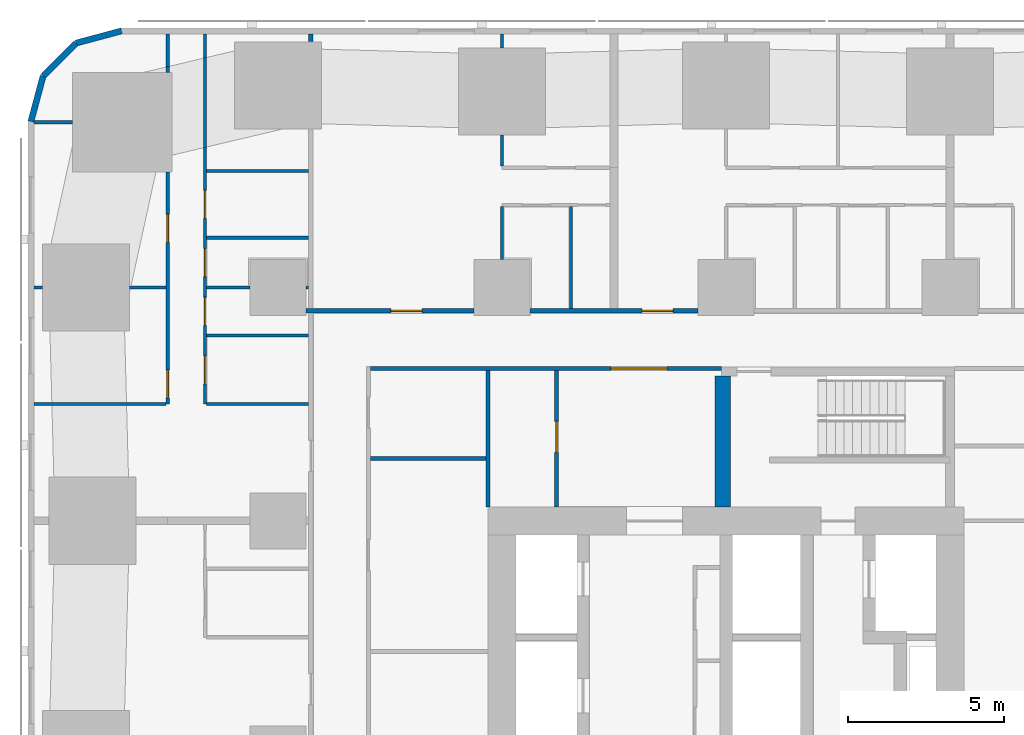
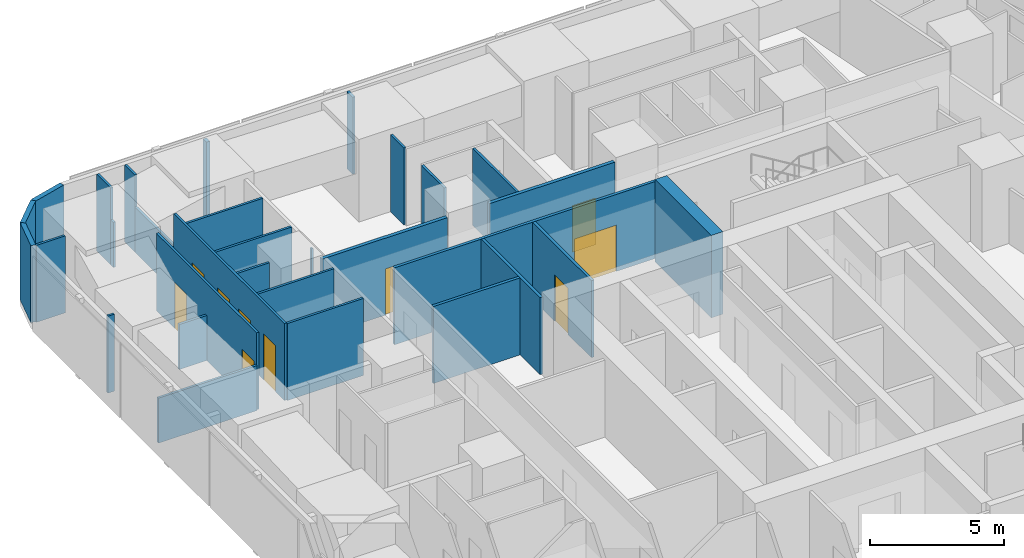
# One storey, part 9 of 16: 31 walls, 10 doors, 10 openings.
"""IFC4 building model written with IfcOpenShell, lengths in metres."""

from ifc_helpers import new_model, si_unit, direction, frame, frame_2d, origin, place, context, subcontext, project, spatial, rectangle, extrude, material, layer, layer_set, type_object, element, fill, save


model = new_model("IFC4")

# Units and contexts
model_context = context("Model", 3, precision=1e-05, world=origin(), true_north=direction((0.0, 1.0)))
body_context = subcontext(model_context, "Body", "Model", "MODEL_VIEW")
ifc_project = project(units=[si_unit("LENGTHUNIT", "METRE"), si_unit("AREAUNIT", "SQUARE_METRE"), si_unit("VOLUMEUNIT", "CUBIC_METRE"), si_unit("PLANEANGLEUNIT", "RADIAN"), si_unit("MASSUNIT", "GRAM", prefix="KILO")], contexts=[model_context])

# Site, building, storey
site_placement = place(None, origin())
site = spatial("IfcSite", under=ifc_project, at=site_placement, CompositionType="ELEMENT")
building_placement = place(site_placement, origin())
building = spatial("IfcBuilding", under=site, at=building_placement, Name="Sheger Commons Tower", CompositionType="ELEMENT")
storey_placement = place(building_placement, frame((0.0, 0.0, 53.75)))
storey = spatial("IfcBuildingStorey", under=building, at=storey_placement, Name="L13", CompositionType="ELEMENT", Elevation=53.75)

# Wall
ifc_material_1 = material(Name="Hollow concrete block masonry, skimmed both sides", Category="masonry")
ifc_layer_1 = layer(ifc_material_1, 0.14990234375)
ifc_layer_set_1 = layer_set([ifc_layer_1], Name="CORRIDOR WALL 150")
wall_type_1 = type_object("IfcWallType", Name="CORRIDOR WALL 150", PredefinedType="SOLIDWALL", material=ifc_layer_set_1)
wall_1_placement = place(storey_placement, frame((8.25, 45.40087890625, 0.0), z_axis=(0.0, 0.0, 1.0), x_axis=(0.0, 1.0, 0.0)))
element("IfcWall", 1, at=wall_1_placement, inside=storey, type_object=wall_type_1, Name="Corridor wall L13", PredefinedType="SOLIDWALL", context=body_context, shape_type="SweptSolid", body=[
    extrude(rectangle(XDim=0.2490234375, YDim=0.14990234375, at=frame_2d((0.12451171875, 0.0))), origin(), (0.0, 0.0, 1.0), 3.5),
])

# Wall, opening, door
wall_2_placement = place(storey_placement, frame((8.10009765625, 36.75, 0.0), z_axis=(0.0, 0.0, 1.0), x_axis=(1.0, 0.0, 0.0)))
wall_2 = element("IfcWall", 2, at=wall_2_placement, inside=storey, type_object=wall_type_1, Name="Corridor wall L13", PredefinedType="SOLIDWALL", context=body_context, shape_type="SweptSolid", body=[
    extrude(rectangle(XDim=5.39892578125, YDim=0.14990234375, at=frame_2d((2.699462890625, 0.0))), origin(), (0.0, 0.0, 1.0), 3.5),
])
opening_1_placement = place(wall_2_placement, frame((2.72509765625, 0.0, 0.0)))
opening_1 = element("IfcOpeningElement", 3, at=opening_1_placement, cuts=wall_2, Name="Opening D1", PredefinedType="OPENING", context=body_context, shape_type="SweptSolid", body=[
    extrude(rectangle(XDim=1.0, YDim=2.10009765625, at=frame_2d((0.5, 1.050048828125))), frame((0.0, 0.0849609375, 0.0), z_axis=(0.0, -1.0, 0.0), x_axis=(1.0, 0.0, 0.0)), (0.0, 0.0, 1.0), 0.169921875),
])
ifc_material_2 = material(Name="Steel door set, fire rated", Category="steel")
door_type_1 = type_object("IfcDoorType", Name="FLAT ENTRANCE DOOR 1000x2100", OperationType="NOTDEFINED", PredefinedType="DOOR", material=ifc_material_2)
door_1_placement = place(opening_1_placement, origin())
door_1 = element("IfcDoor", 4, at=door_1_placement, inside=storey, type_object=door_type_1, Name="Flat entrance door", OperationType="SINGLE_SWING_LEFT", OverallHeight=2.10009765625, OverallWidth=1.0, PredefinedType="DOOR", context=body_context, shape_type="SweptSolid", body=[
    extrude(rectangle(XDim=1.0, YDim=2.10009765625, at=frame_2d((0.5, 1.050048828125))), frame((0.0, 0.02490234375, 0.0), z_axis=(0.0, -1.0, 0.0), x_axis=(1.0, 0.0, 0.0)), (0.0, 0.0, 1.0), 0.050048828125),
])
fill(opening_1, door_1)

wall_3_placement = place(storey_placement, frame((15.301025390625, 36.75, 0.0), z_axis=(0.0, 0.0, 1.0), x_axis=(1.0, 0.0, 0.0)))
wall_3 = element("IfcWall", 5, at=wall_3_placement, inside=storey, type_object=wall_type_1, Name="Corridor wall L13", PredefinedType="SOLIDWALL", context=body_context, shape_type="SweptSolid", body=[
    extrude(rectangle(XDim=5.39794921875, YDim=0.14990234375, at=frame_2d((2.698974609375, 0.0))), origin(), (0.0, 0.0, 1.0), 3.5),
])
opening_2_placement = place(wall_3_placement, frame((3.59912109375, 0.0, 0.0)))
opening_2 = element("IfcOpeningElement", 6, at=opening_2_placement, cuts=wall_3, Name="Opening D1", PredefinedType="OPENING", context=body_context, shape_type="SweptSolid", body=[
    extrude(rectangle(XDim=1.0, YDim=2.10009765625, at=frame_2d((0.5, 1.050048828125))), frame((0.0, 0.0849609375, 0.0), z_axis=(0.0, -1.0, 0.0), x_axis=(1.0, 0.0, 0.0)), (0.0, 0.0, 1.0), 0.169921875),
])
door_2_placement = place(opening_2_placement, origin())
door_2 = element("IfcDoor", 7, at=door_2_placement, inside=storey, type_object=door_type_1, Name="Flat entrance door", OperationType="SINGLE_SWING_RIGHT", OverallHeight=2.10009765625, OverallWidth=1.0, PredefinedType="DOOR", context=body_context, shape_type="SweptSolid", body=[
    extrude(rectangle(XDim=1.0, YDim=2.10009765625, at=frame_2d((0.5, 1.050048828125))), frame((0.0, 0.02490234375, 0.0), z_axis=(0.0, -1.0, 0.0), x_axis=(1.0, 0.0, 0.0)), (0.0, 0.0, 1.0), 0.050048828125),
])
fill(opening_2, door_2)

# Walls
ifc_material_3 = material(Name="Rendered concrete block masonry, dark grey", Category="masonry")
ifc_layer_2 = layer(ifc_material_3, 0.199951171875)
ifc_layer_set_2 = layer_set([ifc_layer_2], Name="FACADE WALL 200")
wall_type_2 = type_object("IfcWallType", Name="FACADE WALL 200", PredefinedType="SOLIDWALL", material=ifc_layer_set_2)
wall_4_placement = place(storey_placement, frame((2.1630859375, 45.75, 0.0), z_axis=(0.0, 0.0, 1.0), x_axis=(-0.965832000415, -0.259168954497, 0.0)))
element("IfcWall", 8, at=wall_4_placement, inside=storey, type_object=wall_type_2, Name="Facade wall L13", PredefinedType="SOLIDWALL", context=body_context, shape_type="SweptSolid", body=[
    extrude(rectangle(XDim=1.512939453125, YDim=0.199951171875, at=frame_2d((0.75634765625, 0.0))), origin(), (0.0, 0.0, 1.0), 3.5),
])
wall_5_placement = place(storey_placement, frame((0.701904296875, 45.35791015625, 0.0), z_axis=(0.0, 0.0, 1.0), x_axis=(-0.707106781187, -0.707106781187, 0.0)))
element("IfcWall", 9, at=wall_5_placement, inside=storey, type_object=wall_type_2, Name="Facade wall L13", PredefinedType="SOLIDWALL", context=body_context, shape_type="SweptSolid", body=[
    extrude(rectangle(XDim=1.498779296875, YDim=0.199951171875, at=frame_2d((0.74951171875, 0.0))), origin(), (0.0, 0.0, 1.0), 3.5),
])
wall_6_placement = place(storey_placement, frame((-0.35791015625, 44.298095703125, 0.0), z_axis=(0.0, 0.0, 1.0), x_axis=(-0.259168954497, -0.965832000415, 0.0)))
element("IfcWall", 10, at=wall_6_placement, inside=storey, type_object=wall_type_2, Name="Facade wall L13", PredefinedType="SOLIDWALL", context=body_context, shape_type="SweptSolid", body=[
    extrude(rectangle(XDim=1.512939453125, YDim=0.199951171875, at=frame_2d((0.75634765625, 0.0))), origin(), (0.0, 0.0, 1.0), 3.5),
])

# Wall, openings, doors
ifc_material_4 = material(Name="Gypsum board on steel studs", Category="steel")
ifc_layer_3 = layer(ifc_material_4, 0.10009765625)
ifc_layer_set_3 = layer_set([ifc_layer_3], Name="PARTITION 100")
wall_type_3 = type_object("IfcWallType", Name="PARTITION 100", PredefinedType="PARTITIONING", material=ifc_layer_set_3)
wall_7_placement = place(storey_placement, frame((3.64990234375, 33.75, 0.0), z_axis=(0.0, 0.0, 1.0), x_axis=(0.0, 1.0, 0.0)))
wall_7 = element("IfcWall", 11, at=wall_7_placement, inside=storey, type_object=wall_type_3, Name="Partition L13", PredefinedType="PARTITIONING", context=body_context, shape_type="SweptSolid", body=[
    extrude(rectangle(XDim=7.462890625, YDim=0.10009765625, at=frame_2d((3.7314453125, 0.0))), origin(), (0.0, 0.0, 1.0), 3.5),
])
opening_3_placement = place(wall_7_placement, frame((0.199951171875, 0.0, 0.0)))
opening_3 = element("IfcOpeningElement", 12, at=opening_3_placement, cuts=wall_7, Name="Opening D2", PredefinedType="OPENING", context=body_context, shape_type="SweptSolid", body=[
    extrude(rectangle(XDim=0.89990234375, YDim=2.10009765625, at=frame_2d((0.449951171875, 1.050048828125))), frame((0.0, 0.06005859375, 0.0), z_axis=(0.0, -1.0, 0.0), x_axis=(1.0, 0.0, 0.0)), (0.0, 0.0, 1.0), 0.1201171875),
])
opening_4_placement = place(wall_7_placement, frame((5.199951171875, 0.0, 0.0)))
opening_4 = element("IfcOpeningElement", 13, at=opening_4_placement, cuts=wall_7, Name="Opening D2", PredefinedType="OPENING", context=body_context, shape_type="SweptSolid", body=[
    extrude(rectangle(XDim=0.89990234375, YDim=2.10009765625, at=frame_2d((0.449951171875, 1.050048828125))), frame((0.0, 0.06005859375, 0.0), z_axis=(0.0, -1.0, 0.0), x_axis=(1.0, 0.0, 0.0)), (0.0, 0.0, 1.0), 0.1201171875),
])
ifc_material_5 = material(Name="Timber door set", Category="wood")
door_type_2 = type_object("IfcDoorType", Name="INTERNAL DOOR 900x2100", OperationType="NOTDEFINED", PredefinedType="DOOR", material=ifc_material_5)
door_3_placement = place(opening_3_placement, origin())
door_3 = element("IfcDoor", 14, at=door_3_placement, inside=storey, type_object=door_type_2, Name="Main bedroom door", OperationType="SINGLE_SWING_LEFT", OverallHeight=2.10009765625, OverallWidth=0.89990234375, PredefinedType="DOOR", context=body_context, shape_type="SweptSolid", body=[
    extrude(rectangle(XDim=0.89990234375, YDim=2.10009765625, at=frame_2d((0.449951171875, 1.050048828125))), frame((0.0, 0.02490234375, 0.0), z_axis=(0.0, -1.0, 0.0), x_axis=(1.0, 0.0, 0.0)), (0.0, 0.0, 1.0), 0.050048828125),
])
fill(opening_3, door_3)
door_4_placement = place(opening_4_placement, origin())
door_4 = element("IfcDoor", 15, at=door_4_placement, inside=storey, type_object=door_type_2, Name="Bedroom 2 door", OperationType="SINGLE_SWING_RIGHT", OverallHeight=2.10009765625, OverallWidth=0.89990234375, PredefinedType="DOOR", context=body_context, shape_type="SweptSolid", body=[
    extrude(rectangle(XDim=0.89990234375, YDim=2.10009765625, at=frame_2d((0.449951171875, 1.050048828125))), frame((0.0, 0.02490234375, 0.0), z_axis=(0.0, -1.0, 0.0), x_axis=(1.0, 0.0, 0.0)), (0.0, 0.0, 1.0), 0.050048828125),
])
fill(opening_4, door_4)

# Walls
wall_8_placement = place(storey_placement, frame((3.64990234375, 44.4150390625, 0.0), z_axis=(0.0, 0.0, 1.0), x_axis=(0.0, 1.0, 0.0)))
element("IfcWall", 16, at=wall_8_placement, inside=storey, type_object=wall_type_3, Name="Partition L13", PredefinedType="PARTITIONING", context=body_context, shape_type="SweptSolid", body=[
    extrude(rectangle(XDim=0.196044921875, YDim=0.10009765625, at=frame_2d((0.09814453125, 0.0))), origin(), (0.0, 0.0, 1.0), 2.050048828125),
])
wall_9_placement = place(storey_placement, frame((3.64990234375, 44.611083984375, 0.0), z_axis=(0.0, 0.0, 1.0), x_axis=(0.0, 1.0, 0.0)))
element("IfcWall", 17, at=wall_9_placement, inside=storey, type_object=wall_type_3, Name="Partition L13", PredefinedType="PARTITIONING", context=body_context, shape_type="SweptSolid", body=[
    extrude(rectangle(XDim=1.038818359375, YDim=0.10009765625, at=frame_2d((0.51953125, 0.0))), origin(), (0.0, 0.0, 1.0), 3.5),
])

# Wall, openings, doors
wall_10_placement = place(storey_placement, frame((4.85009765625, 33.75, 0.0), z_axis=(0.0, 0.0, 1.0), x_axis=(0.0, 1.0, 0.0)))
wall_10 = element("IfcWall", 18, at=wall_10_placement, inside=storey, type_object=wall_type_3, Name="Partition L13", PredefinedType="PARTITIONING", context=body_context, shape_type="SweptSolid", body=[
    extrude(rectangle(XDim=8.243896484375, YDim=0.10009765625, at=frame_2d((4.1220703125, 0.0))), origin(), (0.0, 0.0, 1.0), 3.5),
])
opening_5_placement = place(wall_10_placement, frame((0.655029296875, 0.0, 0.0)))
opening_5 = element("IfcOpeningElement", 19, at=opening_5_placement, cuts=wall_10, Name="Opening D2", PredefinedType="OPENING", context=body_context, shape_type="SweptSolid", body=[
    extrude(rectangle(XDim=0.89990234375, YDim=2.10009765625, at=frame_2d((0.449951171875, 1.050048828125))), frame((0.0, 0.06005859375, 0.0), z_axis=(0.0, -1.0, 0.0), x_axis=(1.0, 0.0, 0.0)), (0.0, 0.0, 1.0), 0.1201171875),
])
opening_6_placement = place(wall_10_placement, frame((4.10009765625, 0.0, 0.0)))
opening_6 = element("IfcOpeningElement", 20, at=opening_6_placement, cuts=wall_10, Name="Opening D2", PredefinedType="OPENING", context=body_context, shape_type="SweptSolid", body=[
    extrude(rectangle(XDim=0.89990234375, YDim=2.10009765625, at=frame_2d((0.449951171875, 1.050048828125))), frame((0.0, 0.06005859375, 0.0), z_axis=(0.0, -1.0, 0.0), x_axis=(1.0, 0.0, 0.0)), (0.0, 0.0, 1.0), 0.1201171875),
])
opening_7_placement = place(wall_10_placement, frame((2.530029296875, 0.0, 0.0)))
opening_7 = element("IfcOpeningElement", 21, at=opening_7_placement, cuts=wall_10, Name="Opening D2", PredefinedType="OPENING", context=body_context, shape_type="SweptSolid", body=[
    extrude(rectangle(XDim=0.89990234375, YDim=2.10009765625, at=frame_2d((0.449951171875, 1.050048828125))), frame((0.0, 0.06005859375, 0.0), z_axis=(0.0, -1.0, 0.0), x_axis=(1.0, 0.0, 0.0)), (0.0, 0.0, 1.0), 0.1201171875),
])
opening_8_placement = place(wall_10_placement, frame((5.97509765625, 0.0, 0.0)))
opening_8 = element("IfcOpeningElement", 22, at=opening_8_placement, cuts=wall_10, Name="Opening D2", PredefinedType="OPENING", context=body_context, shape_type="SweptSolid", body=[
    extrude(rectangle(XDim=0.89990234375, YDim=2.10009765625, at=frame_2d((0.449951171875, 1.050048828125))), frame((0.0, 0.06005859375, 0.0), z_axis=(0.0, -1.0, 0.0), x_axis=(1.0, 0.0, 0.0)), (0.0, 0.0, 1.0), 0.1201171875),
])
door_5_placement = place(opening_5_placement, origin())
door_5 = element("IfcDoor", 23, at=door_5_placement, inside=storey, type_object=door_type_2, Name="Bathroom door", OperationType="SINGLE_SWING_RIGHT", OverallHeight=2.10009765625, OverallWidth=0.89990234375, PredefinedType="DOOR", context=body_context, shape_type="SweptSolid", body=[
    extrude(rectangle(XDim=0.89990234375, YDim=2.10009765625, at=frame_2d((0.449951171875, 1.050048828125))), frame((0.0, 0.02490234375, 0.0), z_axis=(0.0, -1.0, 0.0), x_axis=(1.0, 0.0, 0.0)), (0.0, 0.0, 1.0), 0.050048828125),
])
fill(opening_5, door_5)
door_6_placement = place(opening_6_placement, origin())
door_6 = element("IfcDoor", 24, at=door_6_placement, inside=storey, type_object=door_type_2, Name="Shower room door", OperationType="SINGLE_SWING_RIGHT", OverallHeight=2.10009765625, OverallWidth=0.89990234375, PredefinedType="DOOR", context=body_context, shape_type="SweptSolid", body=[
    extrude(rectangle(XDim=0.89990234375, YDim=2.10009765625, at=frame_2d((0.449951171875, 1.050048828125))), frame((0.0, 0.02490234375, 0.0), z_axis=(0.0, -1.0, 0.0), x_axis=(1.0, 0.0, 0.0)), (0.0, 0.0, 1.0), 0.050048828125),
])
fill(opening_6, door_6)
door_7_placement = place(opening_7_placement, origin())
door_7 = element("IfcDoor", 25, at=door_7_placement, inside=storey, type_object=door_type_2, Name="Store door", OperationType="SINGLE_SWING_RIGHT", OverallHeight=2.10009765625, OverallWidth=0.89990234375, PredefinedType="DOOR", context=body_context, shape_type="SweptSolid", body=[
    extrude(rectangle(XDim=0.89990234375, YDim=2.10009765625, at=frame_2d((0.449951171875, 1.050048828125))), frame((0.0, 0.02490234375, 0.0), z_axis=(0.0, -1.0, 0.0), x_axis=(1.0, 0.0, 0.0)), (0.0, 0.0, 1.0), 0.050048828125),
])
fill(opening_7, door_7)
door_8_placement = place(opening_8_placement, origin())
door_8 = element("IfcDoor", 26, at=door_8_placement, inside=storey, type_object=door_type_2, Name="Store door", OperationType="SINGLE_SWING_LEFT", OverallHeight=2.10009765625, OverallWidth=0.89990234375, PredefinedType="DOOR", context=body_context, shape_type="SweptSolid", body=[
    extrude(rectangle(XDim=0.89990234375, YDim=2.10009765625, at=frame_2d((0.449951171875, 1.050048828125))), frame((0.0, 0.02490234375, 0.0), z_axis=(0.0, -1.0, 0.0), x_axis=(1.0, 0.0, 0.0)), (0.0, 0.0, 1.0), 0.050048828125),
])
fill(opening_8, door_8)

# Walls
wall_11_placement = place(storey_placement, frame((4.85009765625, 41.993896484375, 0.0), z_axis=(0.0, 0.0, 1.0), x_axis=(0.0, 1.0, 0.0)))
element("IfcWall", 27, at=wall_11_placement, inside=storey, type_object=wall_type_3, Name="Partition L13", PredefinedType="PARTITIONING", context=body_context, shape_type="SweptSolid", body=[
    extrude(rectangle(XDim=2.901123046875, YDim=0.10009765625, at=frame_2d((1.45068359375, 0.0))), origin(), (0.0, 0.0, 1.0), 2.050048828125),
])
wall_12_placement = place(storey_placement, frame((4.85009765625, 44.89501953125, 0.0), z_axis=(0.0, 0.0, 1.0), x_axis=(0.0, 1.0, 0.0)))
element("IfcWall", 28, at=wall_12_placement, inside=storey, type_object=wall_type_3, Name="Partition L13", PredefinedType="PARTITIONING", context=body_context, shape_type="SweptSolid", body=[
    extrude(rectangle(XDim=0.7548828125, YDim=0.10009765625, at=frame_2d((0.37744140625, 0.0))), origin(), (0.0, 0.0, 1.0), 3.5),
])
wall_13_placement = place(storey_placement, frame((-0.64990234375, 33.75, 0.0), z_axis=(0.0, 0.0, 1.0), x_axis=(1.0, 0.0, 0.0)))
element("IfcWall", 29, at=wall_13_placement, inside=storey, type_object=wall_type_3, Name="Partition L13", PredefinedType="PARTITIONING", context=body_context, shape_type="SweptSolid", body=[
    extrude(rectangle(XDim=4.25, YDim=0.10009765625, at=frame_2d((2.125, 0.0))), origin(), (0.0, 0.0, 1.0), 2.050048828125),
])
wall_14_placement = place(storey_placement, frame((-0.64990234375, 37.5, 0.0), z_axis=(0.0, 0.0, 1.0), x_axis=(1.0, 0.0, 0.0)))
element("IfcWall", 30, at=wall_14_placement, inside=storey, type_object=wall_type_3, Name="Partition L13", PredefinedType="PARTITIONING", context=body_context, shape_type="SweptSolid", body=[
    extrude(rectangle(XDim=0.27392578125, YDim=0.10009765625, at=frame_2d((0.136962890625, 0.0))), origin(), (0.0, 0.0, 1.0), 3.5),
])
wall_15_placement = place(storey_placement, frame((2.426025390625, 37.5, 0.0), z_axis=(0.0, 0.0, 1.0), x_axis=(1.0, 0.0, 0.0)))
element("IfcWall", 31, at=wall_15_placement, inside=storey, type_object=wall_type_3, Name="Partition L13", PredefinedType="PARTITIONING", context=body_context, shape_type="SweptSolid", body=[
    extrude(rectangle(XDim=1.174072265625, YDim=0.10009765625, at=frame_2d((0.5869140625, 0.0))), origin(), (0.0, 0.0, 1.0), 2.050048828125),
])
wall_16_placement = place(storey_placement, frame((-0.64990234375, 42.81396484375, 0.0), z_axis=(0.0, 0.0, 1.0), x_axis=(1.0, 0.0, 0.0)))
element("IfcWall", 32, at=wall_16_placement, inside=storey, type_object=wall_type_3, Name="Partition L13", PredefinedType="PARTITIONING", context=body_context, shape_type="SweptSolid", body=[
    extrude(rectangle(XDim=1.23486328125, YDim=0.10009765625, at=frame_2d((0.617431640625, 0.0))), origin(), (0.0, 0.0, 1.0), 3.5),
])
wall_17_placement = place(storey_placement, frame((4.89990234375, 33.75, 0.0), z_axis=(0.0, 0.0, 1.0), x_axis=(1.0, 0.0, 0.0)))
element("IfcWall", 33, at=wall_17_placement, inside=storey, type_object=wall_type_3, Name="Partition L13", PredefinedType="PARTITIONING", context=body_context, shape_type="SweptSolid", body=[
    extrude(rectangle(XDim=3.275146484375, YDim=0.10009765625, at=frame_2d((1.6376953125, 0.0))), origin(), (0.0, 0.0, 1.0), 3.5),
])
wall_18_placement = place(storey_placement, frame((4.89990234375, 37.5, 0.0), z_axis=(0.0, 0.0, 1.0), x_axis=(1.0, 0.0, 0.0)))
element("IfcWall", 34, at=wall_18_placement, inside=storey, type_object=wall_type_3, Name="Partition L13", PredefinedType="PARTITIONING", context=body_context, shape_type="SweptSolid", body=[
    extrude(rectangle(XDim=1.399169921875, YDim=0.10009765625, at=frame_2d((0.69970703125, 0.0))), origin(), (0.0, 0.0, 1.0), 3.5),
])
wall_19_placement = place(storey_placement, frame((8.10107421875, 37.5, 0.0), z_axis=(0.0, 0.0, 1.0), x_axis=(1.0, 0.0, 0.0)))
element("IfcWall", 35, at=wall_19_placement, inside=storey, type_object=wall_type_3, Name="Partition L13", PredefinedType="PARTITIONING", context=body_context, shape_type="SweptSolid", body=[
    extrude(rectangle(XDim=0.073974609375, YDim=0.10009765625, at=frame_2d((0.037109375, 0.0))), origin(), (0.0, 0.0, 1.0), 3.5),
])
for number, where, z_axis, x_axis, name in (
    (36, (4.89990234375, 41.25, 0.0), (0.0, 0.0, 1.0), (1.0, 0.0, 0.0), "Partition L13"),
    (37, (4.89990234375, 35.9599609375, 0.0), (0.0, 0.0, 1.0), (1.0, 0.0, 0.0), "Partition L13"),
    (38, (4.89990234375, 39.10009765625, 0.0), (0.0, 0.0, 1.0), (1.0, 0.0, 0.0), "Partition L13"),
):
    element("IfcWall", number, at=place(storey_placement, frame(where, z_axis=z_axis, x_axis=x_axis)), inside=storey, type_object=wall_type_3, Name=name, PredefinedType="PARTITIONING", context=body_context, shape_type="SweptSolid", body=[
        extrude(rectangle(XDim=3.275146484375, YDim=0.10009765625, at=frame_2d((1.6376953125, 0.0))), origin(), (0.0, 0.0, 1.0), 3.5),
    ])
wall_20_placement = place(storey_placement, frame((14.39990234375, 41.39990234375, 0.0), z_axis=(0.0, 0.0, 1.0), x_axis=(0.0, 1.0, 0.0)))
element("IfcWall", 39, at=wall_20_placement, inside=storey, type_object=wall_type_3, Name="Partition L13", PredefinedType="PARTITIONING", context=body_context, shape_type="SweptSolid", body=[
    extrude(rectangle(XDim=0.9990234375, YDim=0.10009765625, at=frame_2d((0.49951171875, 0.0))), origin(), (0.0, 0.0, 1.0), 3.5),
])
wall_21_placement = place(storey_placement, frame((14.39990234375, 45.200927734375, 0.0), z_axis=(0.0, 0.0, 1.0), x_axis=(0.0, 1.0, 0.0)))
element("IfcWall", 40, at=wall_21_placement, inside=storey, type_object=wall_type_3, Name="Partition L13", PredefinedType="PARTITIONING", context=body_context, shape_type="SweptSolid", body=[
    extrude(rectangle(XDim=0.448974609375, YDim=0.10009765625, at=frame_2d((0.224609375, 0.0))), origin(), (0.0, 0.0, 1.0), 3.5),
])
wall_22_placement = place(storey_placement, frame((14.39990234375, 38.40087890625, 0.0), z_axis=(0.0, 0.0, 1.0), x_axis=(0.0, 1.0, 0.0)))
element("IfcWall", 41, at=wall_22_placement, inside=storey, type_object=wall_type_3, Name="Partition L13", PredefinedType="PARTITIONING", context=body_context, shape_type="SweptSolid", body=[
    extrude(rectangle(XDim=1.69921875, YDim=0.10009765625, at=frame_2d((0.849609375, 0.0))), origin(), (0.0, 0.0, 1.0), 3.5),
])
wall_23_placement = place(storey_placement, frame((16.610107421875, 36.824951171875, 0.0), z_axis=(0.0, 0.0, 1.0), x_axis=(0.0, 1.0, 0.0)))
element("IfcWall", 42, at=wall_23_placement, inside=storey, type_object=wall_type_3, Name="Partition L13", PredefinedType="PARTITIONING", context=body_context, shape_type="SweptSolid", body=[
    extrude(rectangle(XDim=3.275146484375, YDim=0.10009765625, at=frame_2d((1.6376953125, 0.0))), origin(), (0.0, 0.0, 1.0), 3.5),
])
ifc_material_6 = material(Name="Gypsum board on steel studs, two layers each side, fire rated", Category="steel")
ifc_layer_4 = layer(ifc_material_6, 0.125)
ifc_layer_set_4 = layer_set([ifc_layer_4], Name="SERVICE WALL 125")
wall_type_4 = type_object("IfcWallType", Name="SERVICE WALL 125", PredefinedType="PARTITIONING", material=ifc_layer_set_4)
wall_24_placement = place(storey_placement, frame((10.1630859375, 32.0, 0.0), z_axis=(0.0, 0.0, 1.0), x_axis=(1.0, 0.0, 0.0)))
element("IfcWall", 43, at=wall_24_placement, inside=storey, type_object=wall_type_4, Name="Service room wall L13", PredefinedType="PARTITIONING", context=body_context, shape_type="SweptSolid", body=[
    extrude(rectangle(XDim=3.724853515625, YDim=0.125, at=frame_2d((1.8623046875, 0.0))), origin(), (0.0, 0.0, 1.0), 3.5),
])
wall_25_placement = place(storey_placement, frame((13.949951171875, 30.449951171875, 0.0), z_axis=(0.0, 0.0, 1.0), x_axis=(0.0, 1.0, 0.0)))
element("IfcWall", 44, at=wall_25_placement, inside=storey, type_object=wall_type_4, Name="Service room wall L13", PredefinedType="PARTITIONING", context=body_context, shape_type="SweptSolid", body=[
    extrude(rectangle(XDim=4.386962890625, YDim=0.125, at=frame_2d((2.193359375, 0.0))), origin(), (0.0, 0.0, 1.0), 3.5),
])

# Wall, opening, door
wall_26_placement = place(storey_placement, frame((10.1630859375, 34.89990234375, 0.0), z_axis=(0.0, 0.0, 1.0), x_axis=(1.0, 0.0, 0.0)))
wall_26 = element("IfcWall", 45, at=wall_26_placement, inside=storey, type_object=wall_type_4, Name="Service room wall L13", PredefinedType="PARTITIONING", context=body_context, shape_type="SweptSolid", body=[
    extrude(rectangle(XDim=11.286865234375, YDim=0.125, at=frame_2d((5.6435546875, 0.0))), origin(), (0.0, 0.0, 1.0), 3.5),
])
opening_9_placement = place(wall_26_placement, frame((7.737060546875, 0.0, 0.0)))
opening_9 = element("IfcOpeningElement", 46, at=opening_9_placement, cuts=wall_26, Name="Opening D6", PredefinedType="OPENING", context=body_context, shape_type="SweptSolid", body=[
    extrude(rectangle(XDim=1.800048828125, YDim=2.10009765625, at=frame_2d((0.89990234375, 1.050048828125))), frame((0.0, 0.072509765625, 0.0), z_axis=(0.0, -1.0, 0.0), x_axis=(1.0, 0.0, 0.0)), (0.0, 0.0, 1.0), 0.14501953125),
])
ifc_material_7 = material(Name="Steel door set, fire rated", Category="steel")
door_type_3 = type_object("IfcDoorType", Name="LOBBY DOUBLE DOOR 1800x2100", OperationType="DOUBLE_DOOR_SINGLE_SWING", PredefinedType="DOOR", material=ifc_material_7)
door_9_placement = place(opening_9_placement, origin())
door_9 = element("IfcDoor", 47, at=door_9_placement, inside=storey, type_object=door_type_3, Name="Lift lobby north door", OperationType="DOUBLE_DOOR_SINGLE_SWING", OverallHeight=2.10009765625, OverallWidth=1.800048828125, PredefinedType="DOOR", context=body_context, shape_type="SweptSolid", body=[
    extrude(rectangle(XDim=1.800048828125, YDim=2.10009765625, at=frame_2d((0.89990234375, 1.050048828125))), frame((0.0, 0.02490234375, 0.0), z_axis=(0.0, -1.0, 0.0), x_axis=(1.0, 0.0, 0.0)), (0.0, 0.0, 1.0), 0.050048828125),
])
fill(opening_9, door_9)

wall_27_placement = place(storey_placement, frame((16.14990234375, 30.449951171875, 0.0), z_axis=(0.0, 0.0, 1.0), x_axis=(0.0, 1.0, 0.0)))
wall_27 = element("IfcWall", 48, at=wall_27_placement, inside=storey, type_object=wall_type_4, Name="Service room wall L13", PredefinedType="PARTITIONING", context=body_context, shape_type="SweptSolid", body=[
    extrude(rectangle(XDim=4.386962890625, YDim=0.125, at=frame_2d((2.193359375, 0.0))), origin(), (0.0, 0.0, 1.0), 3.5),
])
opening_10_placement = place(wall_27_placement, frame((1.75, 0.0, 0.0)))
opening_10 = element("IfcOpeningElement", 49, at=opening_10_placement, cuts=wall_27, Name="Opening D4", PredefinedType="OPENING", context=body_context, shape_type="SweptSolid", body=[
    extrude(rectangle(XDim=1.0, YDim=2.10009765625, at=frame_2d((0.5, 1.050048828125))), frame((0.0, 0.072509765625, 0.0), z_axis=(0.0, -1.0, 0.0), x_axis=(1.0, 0.0, 0.0)), (0.0, 0.0, 1.0), 0.14501953125),
])
ifc_material_8 = material(Name="Steel door set, fire rated", Category="steel")
door_type_4 = type_object("IfcDoorType", Name="SERVICE DOOR 1000x2100", OperationType="NOTDEFINED", PredefinedType="DOOR", material=ifc_material_8)
door_10_placement = place(opening_10_placement, origin())
door_10 = element("IfcDoor", 50, at=door_10_placement, inside=storey, type_object=door_type_4, Name="Telecom room door", OperationType="SINGLE_SWING_RIGHT", OverallHeight=2.10009765625, OverallWidth=1.0, PredefinedType="DOOR", context=body_context, shape_type="SweptSolid", body=[
    extrude(rectangle(XDim=1.0, YDim=2.10009765625, at=frame_2d((0.5, 1.050048828125))), frame((0.0, 0.02490234375, 0.0), z_axis=(0.0, -1.0, 0.0), x_axis=(1.0, 0.0, 0.0)), (0.0, 0.0, 1.0), 0.050048828125),
])
fill(opening_10, door_10)

# Wall
ifc_material_9 = material(Name="Concrete C50/60", Category="concrete")
ifc_layer_5 = layer(ifc_material_9, 0.5)
ifc_layer_set_5 = layer_set([ifc_layer_5], Name="STAIR CORE WALL 500")
wall_type_5 = type_object("IfcWallType", Name="STAIR CORE WALL 500", PredefinedType="SHEAR", material=ifc_layer_set_5)
wall_28_placement = place(storey_placement, frame((21.5, 30.449951171875, 0.0), z_axis=(0.0, 0.0, 1.0), x_axis=(0.0, 1.0, 0.0)))
element("IfcWall", 51, at=wall_28_placement, inside=storey, type_object=wall_type_5, Name="STW-L13-S2W", PredefinedType="SHEAR", context=body_context, shape_type="SweptSolid", body=[
    extrude(rectangle(XDim=4.199951171875, YDim=0.5, at=frame_2d((2.10009765625, 0.0))), origin(), (0.0, 0.0, 1.0), 3.75),
])

save(model, "model.ifc")
